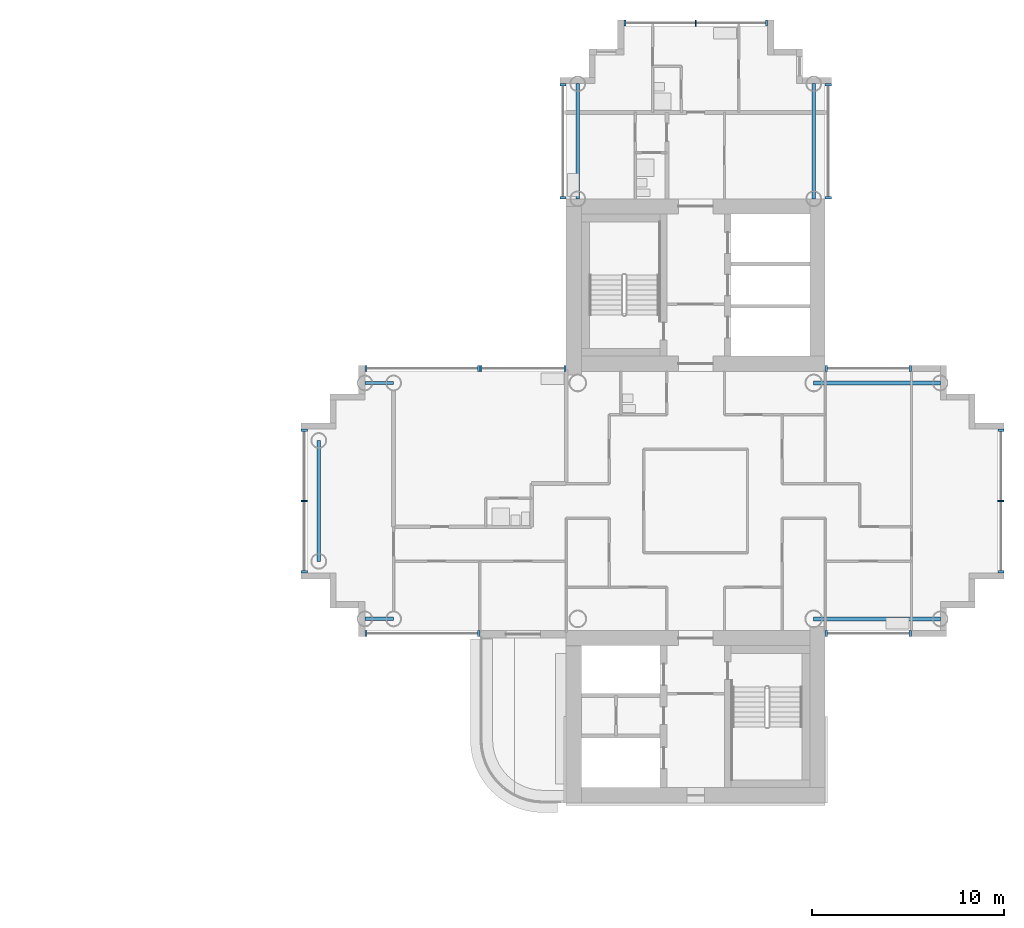
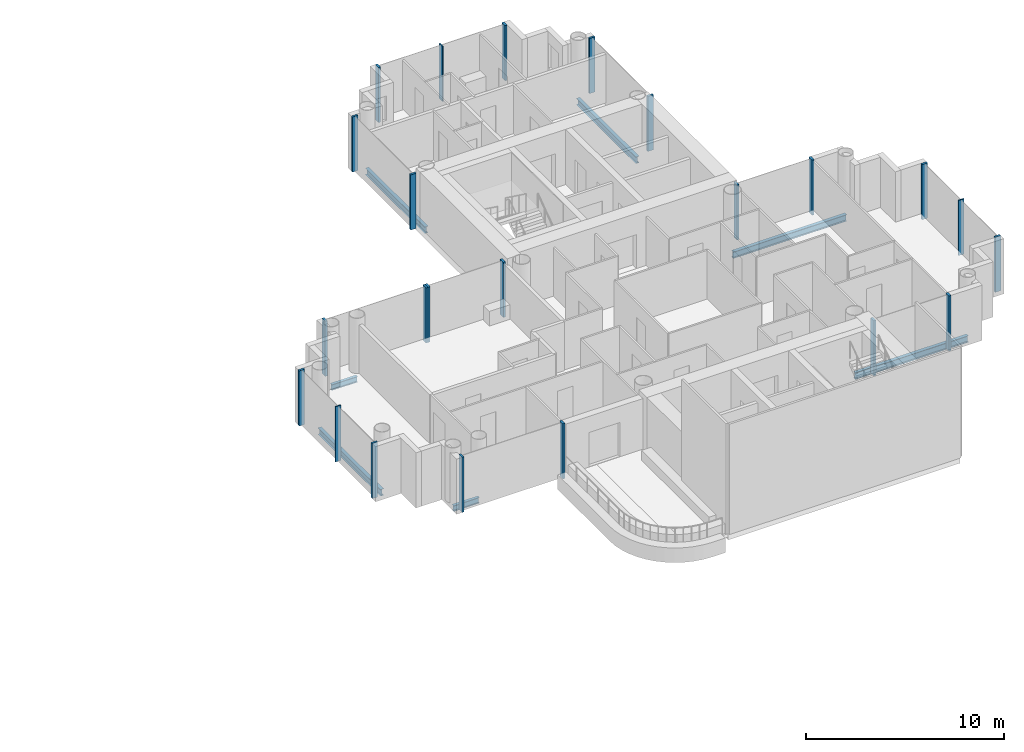
# One storey, part 4 of 19: 23 members, 7 beams, 10 elements without a shape of their own.
"""IFC4 building model written with IfcOpenShell, lengths in metres."""

from ifc_helpers import new_model, si_unit, direction, frame, origin, origin_2d, place, context, subcontext, project, spatial, rectangle, i_section, extrude, material, layer, layer_set, material_profile, profile_set, type_object, element, aggregate, save


model = new_model("IFC4")

# Units and contexts
model_context = context("Model", 3, precision=1e-05, world=origin(), true_north=direction((0.0, 1.0)))
body_context = subcontext(model_context, "Body", "Model", "MODEL_VIEW")
ifc_project = project(units=[si_unit("LENGTHUNIT", "METRE"), si_unit("AREAUNIT", "SQUARE_METRE"), si_unit("VOLUMEUNIT", "CUBIC_METRE"), si_unit("PLANEANGLEUNIT", "RADIAN"), si_unit("MASSUNIT", "GRAM", prefix="KILO")], contexts=[model_context])

# Site, building, storey
site_placement = place(None, origin())
site = spatial("IfcSite", under=ifc_project, at=site_placement, CompositionType="ELEMENT")
building_placement = place(site_placement, origin())
building = spatial("IfcBuilding", under=site, at=building_placement, Name="Ipe Terrace Towers", CompositionType="ELEMENT")
storey_placement = place(building_placement, frame((0.0, 0.0, 147.300048828125)))
storey = spatial("IfcBuildingStorey", under=building, at=storey_placement, Name="L40", CompositionType="ELEMENT", Elevation=147.300048828125)

# Beams
ifc_material_1 = material(Name="Steel S355", Category="steel")
ifc_material_profile_1 = material_profile(ifc_material_1, i_section(OverallWidth=0.175048828125, OverallDepth=0.35009765625, WebThickness=0.007080078125, FlangeThickness=0.010986328125, at=origin_2d()), Name="H-350x175x7x11")
ifc_profile_set_1 = profile_set([ifc_material_profile_1], Name="Steel S355")
beam_type_1 = type_object("IfcBeamType", Name="H04 EDGE BEAM H-350x175x7x11", PredefinedType="BEAM", material=ifc_profile_set_1)
for number, where, z_axis, x_axis, name in (
    (1, (20.25, 6.14990234375, -0.574951171875), (-1.0, 0.0, 0.0), (0.0, -1.0, 0.0), "Edge beam T2-EB-B03-B05"),
    (2, (20.25, -6.14990234375, -0.574951171875), (-1.0, 0.0, 0.0), (0.0, -1.0, 0.0), "Edge beam T2-EB-B04-B06"),
):
    element("IfcBeam", number, at=place(storey_placement, frame(where, z_axis=z_axis, x_axis=x_axis)), inside=storey, type_object=beam_type_1, Name=name, PredefinedType="BEAM", context=body_context, shape_type="SweptSolid", body=[
        extrude(i_section(OverallWidth=0.175048828125, OverallDepth=0.35009765625, WebThickness=0.007080078125, FlangeThickness=0.010986328125, at=origin_2d()), origin(), (0.0, 0.0, 1.0), 1.5),
    ])
ifc_material_2 = material(Name="Steel S355", Category="steel")
ifc_material_profile_2 = material_profile(ifc_material_2, i_section(OverallWidth=0.199951171875, OverallDepth=0.39990234375, WebThickness=0.008056640625, FlangeThickness=0.012939453125, at=origin_2d()), Name="H-400x200x8x13")
ifc_profile_set_2 = profile_set([ifc_material_profile_2], Name="Steel S355")
beam_type_2 = type_object("IfcBeamType", Name="H06 EDGE BEAM H-400x200x8x13", PredefinedType="BEAM", material=ifc_profile_set_2)
for number, where, z_axis, x_axis, name in (
    (3, (42.14990234375, 15.75, -0.60009765625), (0.0, 1.0, 0.0), (-1.0, 0.0, 0.0), "Edge beam T2-EB-A01-A03"),
    (4, (29.85009765625, 15.75, -0.60009765625), (0.0, 1.0, 0.0), (-1.0, 0.0, 0.0), "Edge beam T2-EB-A02-A04"),
):
    element("IfcBeam", number, at=place(storey_placement, frame(where, z_axis=z_axis, x_axis=x_axis)), inside=storey, type_object=beam_type_2, Name=name, PredefinedType="BEAM", context=body_context, shape_type="SweptSolid", body=[
        extrude(i_section(OverallWidth=0.199951171875, OverallDepth=0.39990234375, WebThickness=0.008056640625, FlangeThickness=0.012939453125, at=origin_2d()), origin(), (0.0, 0.0, 1.0), 6.0),
    ])
beam_placement = place(storey_placement, frame((16.35009765625, 3.14990234375, -0.60009765625), z_axis=(0.0, -1.0, 0.0), x_axis=(1.0, 0.0, 0.0)))
element("IfcBeam", 5, at=beam_placement, inside=storey, type_object=beam_type_2, Name="Edge beam T2-EB-B07-B08", PredefinedType="BEAM", context=body_context, shape_type="SweptSolid", body=[
    extrude(i_section(OverallWidth=0.199951171875, OverallDepth=0.39990234375, WebThickness=0.008056640625, FlangeThickness=0.012939453125, at=origin_2d()), origin(), (0.0, 0.0, 1.0), 6.2998046875),
])
for number, where, z_axis, x_axis, name in (
    (6, (48.75, -6.14990234375, -0.60009765625), (-1.0, 0.0, 0.0), (0.0, -1.0, 0.0), "Edge beam T2-EB-D01-E01"),
    (7, (48.75, 6.14990234375, -0.60009765625), (-1.0, 0.0, 0.0), (0.0, -1.0, 0.0), "Edge beam T2-EB-D02-E02"),
):
    element("IfcBeam", number, at=place(storey_placement, frame(where, z_axis=z_axis, x_axis=x_axis)), inside=storey, type_object=beam_type_2, Name=name, PredefinedType="BEAM", context=body_context, shape_type="SweptSolid", body=[
        extrude(i_section(OverallWidth=0.199951171875, OverallDepth=0.39990234375, WebThickness=0.008056640625, FlangeThickness=0.012939453125, at=origin_2d()), origin(), (0.0, 0.0, 1.0), 6.60009765625),
    ])

# Curtain wall, members
ifc_material_3 = material(Name="Aluminium alloy 6063-T6", Category="aluminium")
ifc_layer = layer(ifc_material_3, 0.320068359375)
ifc_layer_set = layer_set([ifc_layer], Name="TOWER UNITISED CURTAIN WALL")
curtain_wall_type = type_object("IfcCurtainWallType", Name="TOWER UNITISED CURTAIN WALL", PredefinedType="NOTDEFINED", material=ifc_layer_set)
curtain_wall_1_placement = place(storey_placement, origin())
curtain_wall_1 = element("IfcCurtainWall", 8, at=curtain_wall_1_placement, inside=storey, type_object=curtain_wall_type, Name="T2-CW-L40-02a curtain wall", PredefinedType="NOTDEFINED")
ifc_material_4 = material(Name="Aluminium alloy 6063-T6", Category="aluminium")
ifc_material_profile_3 = material_profile(ifc_material_4, rectangle(XDim=0.320068359375, YDim=0.1201171875, at=origin_2d()), Name="TOWER UNITISED CORNER MULLION 320 x 120")
ifc_profile_set_3 = profile_set([ifc_material_profile_3], Name="Aluminium alloy 6063-T6")
member_type_1 = type_object("IfcMemberType", Name="TOWER UNITISED CORNER MULLION 320 x 120", PredefinedType="MULLION", material=ifc_profile_set_3)
member_1_placement = place(storey_placement, frame((42.81005859375, -6.909912109375, -0.300048828125), z_axis=(0.0, 0.0, 1.0), x_axis=(0.0, -1.0, 0.0)))
member_1 = element("IfcMember", 9, at=member_1_placement, type_object=member_type_1, Name="T2-CW-L40-02a mullion 1", PredefinedType="MULLION", context=body_context, shape_type="SweptSolid", body=[
    extrude(rectangle(XDim=0.320068359375, YDim=0.1201171875, at=origin_2d()), origin(), (0.0, 0.0, 1.0), 3.39990234375),
])
member_2_placement = place(storey_placement, frame((47.18994140625, -6.909912109375, -0.300048828125), z_axis=(0.0, 0.0, 1.0), x_axis=(0.0, -1.0, 0.0)))
member_2 = element("IfcMember", 10, at=member_2_placement, type_object=member_type_1, Name="T2-CW-L40-02a mullion 2", PredefinedType="MULLION", context=body_context, shape_type="SweptSolid", body=[
    extrude(rectangle(XDim=0.320068359375, YDim=0.1201171875, at=origin_2d()), origin(), (0.0, 0.0, 1.0), 3.39990234375),
])
aggregate(curtain_wall_1, [member_1, member_2])

curtain_wall_2_placement = place(storey_placement, origin())
curtain_wall_2 = element("IfcCurtainWall", 11, at=curtain_wall_2_placement, inside=storey, type_object=curtain_wall_type, Name="T2-CW-L40-08a curtain wall", PredefinedType="NOTDEFINED")
member_3_placement = place(storey_placement, frame((51.909912109375, -3.68994140625, -0.300048828125), z_axis=(0.0, 0.0, 1.0), x_axis=(1.0, 0.0, 0.0)))
member_3 = element("IfcMember", 12, at=member_3_placement, type_object=member_type_1, Name="T2-CW-L40-08a mullion 1", PredefinedType="MULLION", context=body_context, shape_type="SweptSolid", body=[
    extrude(rectangle(XDim=0.320068359375, YDim=0.1201171875, at=origin_2d()), origin(), (0.0, 0.0, 1.0), 3.39990234375),
])
member_4_placement = place(storey_placement, frame((51.909912109375, 3.68994140625, -0.300048828125), z_axis=(0.0, 0.0, 1.0), x_axis=(1.0, 0.0, 0.0)))
member_4 = element("IfcMember", 13, at=member_4_placement, type_object=member_type_1, Name="T2-CW-L40-08a mullion 3", PredefinedType="MULLION", context=body_context, shape_type="SweptSolid", body=[
    extrude(rectangle(XDim=0.320068359375, YDim=0.1201171875, at=origin_2d()), origin(), (0.0, 0.0, 1.0), 3.39990234375),
])

curtain_wall_3_placement = place(storey_placement, origin())
curtain_wall_3 = element("IfcCurtainWall", 14, at=curtain_wall_3_placement, inside=storey, type_object=curtain_wall_type, Name="T2-CW-L40-14a curtain wall", PredefinedType="NOTDEFINED")
member_5_placement = place(storey_placement, frame((47.18994140625, 6.909912109375, -0.300048828125), z_axis=(0.0, 0.0, 1.0), x_axis=(0.0, 1.0, 0.0)))
member_5 = element("IfcMember", 15, at=member_5_placement, type_object=member_type_1, Name="T2-CW-L40-14a mullion 1", PredefinedType="MULLION", context=body_context, shape_type="SweptSolid", body=[
    extrude(rectangle(XDim=0.320068359375, YDim=0.1201171875, at=origin_2d()), origin(), (0.0, 0.0, 1.0), 3.39990234375),
])
member_6_placement = place(storey_placement, frame((42.81005859375, 6.909912109375, -0.300048828125), z_axis=(0.0, 0.0, 1.0), x_axis=(0.0, 1.0, 0.0)))
member_6 = element("IfcMember", 16, at=member_6_placement, type_object=member_type_1, Name="T2-CW-L40-14a mullion 2", PredefinedType="MULLION", context=body_context, shape_type="SweptSolid", body=[
    extrude(rectangle(XDim=0.320068359375, YDim=0.1201171875, at=origin_2d()), origin(), (0.0, 0.0, 1.0), 3.39990234375),
])
aggregate(curtain_wall_3, [member_5, member_6])

curtain_wall_4_placement = place(storey_placement, origin())
curtain_wall_4 = element("IfcCurtainWall", 17, at=curtain_wall_4_placement, inside=storey, type_object=curtain_wall_type, Name="T2-CW-L40-16b curtain wall", PredefinedType="NOTDEFINED")
member_7_placement = place(storey_placement, frame((42.909912109375, 15.81103515625, -0.300048828125), z_axis=(0.0, 0.0, 1.0), x_axis=(1.0, 0.0, 0.0)))
member_7 = element("IfcMember", 18, at=member_7_placement, type_object=member_type_1, Name="T2-CW-L40-16b mullion 1", PredefinedType="MULLION", context=body_context, shape_type="SweptSolid", body=[
    extrude(rectangle(XDim=0.320068359375, YDim=0.1201171875, at=origin_2d()), origin(), (0.0, 0.0, 1.0), 3.39990234375),
])
member_8_placement = place(storey_placement, frame((42.909912109375, 21.68994140625, -0.300048828125), z_axis=(0.0, 0.0, 1.0), x_axis=(1.0, 0.0, 0.0)))
member_8 = element("IfcMember", 19, at=member_8_placement, type_object=member_type_1, Name="T2-CW-L40-16b mullion 2", PredefinedType="MULLION", context=body_context, shape_type="SweptSolid", body=[
    extrude(rectangle(XDim=0.320068359375, YDim=0.1201171875, at=origin_2d()), origin(), (0.0, 0.0, 1.0), 3.39990234375),
])
aggregate(curtain_wall_4, [member_7, member_8])

curtain_wall_5_placement = place(storey_placement, origin())
curtain_wall_5 = element("IfcCurtainWall", 20, at=curtain_wall_5_placement, inside=storey, type_object=curtain_wall_type, Name="T2-CW-L40-21a curtain wall", PredefinedType="NOTDEFINED")
member_9_placement = place(storey_placement, frame((39.68994140625, 24.909912109375, -0.300048828125), z_axis=(0.0, 0.0, 1.0), x_axis=(0.0, 1.0, 0.0)))
member_9 = element("IfcMember", 21, at=member_9_placement, type_object=member_type_1, Name="T2-CW-L40-21a mullion 1", PredefinedType="MULLION", context=body_context, shape_type="SweptSolid", body=[
    extrude(rectangle(XDim=0.320068359375, YDim=0.1201171875, at=origin_2d()), origin(), (0.0, 0.0, 1.0), 3.39990234375),
])
member_10_placement = place(storey_placement, frame((32.31005859375, 24.909912109375, -0.300048828125), z_axis=(0.0, 0.0, 1.0), x_axis=(0.0, 1.0, 0.0)))
member_10 = element("IfcMember", 22, at=member_10_placement, type_object=member_type_1, Name="T2-CW-L40-21a mullion 3", PredefinedType="MULLION", context=body_context, shape_type="SweptSolid", body=[
    extrude(rectangle(XDim=0.320068359375, YDim=0.1201171875, at=origin_2d()), origin(), (0.0, 0.0, 1.0), 3.39990234375),
])

curtain_wall_6_placement = place(storey_placement, origin())
curtain_wall_6 = element("IfcCurtainWall", 23, at=curtain_wall_6_placement, inside=storey, type_object=curtain_wall_type, Name="T2-CW-L40-26a curtain wall", PredefinedType="NOTDEFINED")
member_11_placement = place(storey_placement, frame((29.090087890625, 21.68994140625, -0.300048828125), z_axis=(0.0, 0.0, 1.0), x_axis=(-1.0, 0.0, 0.0)))
member_11 = element("IfcMember", 24, at=member_11_placement, type_object=member_type_1, Name="T2-CW-L40-26a mullion 1", PredefinedType="MULLION", context=body_context, shape_type="SweptSolid", body=[
    extrude(rectangle(XDim=0.320068359375, YDim=0.1201171875, at=origin_2d()), origin(), (0.0, 0.0, 1.0), 3.39990234375),
])
member_12_placement = place(storey_placement, frame((29.090087890625, 15.81103515625, -0.300048828125), z_axis=(0.0, 0.0, 1.0), x_axis=(-1.0, 0.0, 0.0)))
member_12 = element("IfcMember", 25, at=member_12_placement, type_object=member_type_1, Name="T2-CW-L40-26a mullion 2", PredefinedType="MULLION", context=body_context, shape_type="SweptSolid", body=[
    extrude(rectangle(XDim=0.320068359375, YDim=0.1201171875, at=origin_2d()), origin(), (0.0, 0.0, 1.0), 3.39990234375),
])
aggregate(curtain_wall_6, [member_11, member_12])

curtain_wall_7_placement = place(storey_placement, origin())
curtain_wall_7 = element("IfcCurtainWall", 26, at=curtain_wall_7_placement, inside=storey, type_object=curtain_wall_type, Name="T2-CW-L40-28a curtain wall", PredefinedType="NOTDEFINED")
member_13_placement = place(storey_placement, frame((29.18994140625, 6.909912109375, -0.300048828125), z_axis=(0.0, 0.0, 1.0), x_axis=(0.0, 1.0, 0.0)))
member_13 = element("IfcMember", 27, at=member_13_placement, type_object=member_type_1, Name="T2-CW-L40-28a mullion 1", PredefinedType="MULLION", context=body_context, shape_type="SweptSolid", body=[
    extrude(rectangle(XDim=0.320068359375, YDim=0.1201171875, at=origin_2d()), origin(), (0.0, 0.0, 1.0), 3.39990234375),
])
member_14_placement = place(storey_placement, frame((24.81005859375, 6.909912109375, -0.300048828125), z_axis=(0.0, 0.0, 1.0), x_axis=(0.0, 1.0, 0.0)))
member_14 = element("IfcMember", 28, at=member_14_placement, type_object=member_type_1, Name="T2-CW-L40-28a mullion 2", PredefinedType="MULLION", context=body_context, shape_type="SweptSolid", body=[
    extrude(rectangle(XDim=0.320068359375, YDim=0.1201171875, at=origin_2d()), origin(), (0.0, 0.0, 1.0), 3.39990234375),
])
aggregate(curtain_wall_7, [member_13, member_14])

curtain_wall_8_placement = place(storey_placement, origin())
curtain_wall_8 = element("IfcCurtainWall", 29, at=curtain_wall_8_placement, inside=storey, type_object=curtain_wall_type, Name="T2-CW-L40-29a curtain wall", PredefinedType="NOTDEFINED")
member_15_placement = place(storey_placement, frame((24.68994140625, 6.909912109375, -0.300048828125), z_axis=(0.0, 0.0, 1.0), x_axis=(0.0, 1.0, 0.0)))
member_15 = element("IfcMember", 30, at=member_15_placement, type_object=member_type_1, Name="T2-CW-L40-29a mullion 1", PredefinedType="MULLION", context=body_context, shape_type="SweptSolid", body=[
    extrude(rectangle(XDim=0.320068359375, YDim=0.1201171875, at=origin_2d()), origin(), (0.0, 0.0, 1.0), 3.39990234375),
])
member_16_placement = place(storey_placement, frame((18.81005859375, 6.909912109375, -0.300048828125), z_axis=(0.0, 0.0, 1.0), x_axis=(0.0, 1.0, 0.0)))
member_16 = element("IfcMember", 31, at=member_16_placement, type_object=member_type_1, Name="T2-CW-L40-29a mullion 2", PredefinedType="MULLION", context=body_context, shape_type="SweptSolid", body=[
    extrude(rectangle(XDim=0.320068359375, YDim=0.1201171875, at=origin_2d()), origin(), (0.0, 0.0, 1.0), 3.39990234375),
])
aggregate(curtain_wall_8, [member_15, member_16])

curtain_wall_9_placement = place(storey_placement, origin())
curtain_wall_9 = element("IfcCurtainWall", 32, at=curtain_wall_9_placement, inside=storey, type_object=curtain_wall_type, Name="T2-CW-L40-34a curtain wall", PredefinedType="NOTDEFINED")
member_17_placement = place(storey_placement, frame((15.590087890625, 3.68994140625, -0.300048828125), z_axis=(0.0, 0.0, 1.0), x_axis=(-1.0, 0.0, 0.0)))
member_17 = element("IfcMember", 33, at=member_17_placement, type_object=member_type_1, Name="T2-CW-L40-34a mullion 1", PredefinedType="MULLION", context=body_context, shape_type="SweptSolid", body=[
    extrude(rectangle(XDim=0.320068359375, YDim=0.1201171875, at=origin_2d()), origin(), (0.0, 0.0, 1.0), 3.39990234375),
])
member_18_placement = place(storey_placement, frame((15.590087890625, -3.68994140625, -0.300048828125), z_axis=(0.0, 0.0, 1.0), x_axis=(-1.0, 0.0, 0.0)))
member_18 = element("IfcMember", 34, at=member_18_placement, type_object=member_type_1, Name="T2-CW-L40-34a mullion 3", PredefinedType="MULLION", context=body_context, shape_type="SweptSolid", body=[
    extrude(rectangle(XDim=0.320068359375, YDim=0.1201171875, at=origin_2d()), origin(), (0.0, 0.0, 1.0), 3.39990234375),
])

curtain_wall_10_placement = place(storey_placement, origin())
curtain_wall_10 = element("IfcCurtainWall", 35, at=curtain_wall_10_placement, inside=storey, type_object=curtain_wall_type, Name="T2-CW-L40-39a curtain wall", PredefinedType="NOTDEFINED")
member_19_placement = place(storey_placement, frame((18.81005859375, -6.909912109375, -0.300048828125), z_axis=(0.0, 0.0, 1.0), x_axis=(0.0, -1.0, 0.0)))
member_19 = element("IfcMember", 36, at=member_19_placement, type_object=member_type_1, Name="T2-CW-L40-39a mullion 1", PredefinedType="MULLION", context=body_context, shape_type="SweptSolid", body=[
    extrude(rectangle(XDim=0.320068359375, YDim=0.1201171875, at=origin_2d()), origin(), (0.0, 0.0, 1.0), 3.39990234375),
])
member_20_placement = place(storey_placement, frame((24.68994140625, -6.909912109375, -0.300048828125), z_axis=(0.0, 0.0, 1.0), x_axis=(0.0, -1.0, 0.0)))
member_20 = element("IfcMember", 37, at=member_20_placement, type_object=member_type_1, Name="T2-CW-L40-39a mullion 2", PredefinedType="MULLION", context=body_context, shape_type="SweptSolid", body=[
    extrude(rectangle(XDim=0.320068359375, YDim=0.1201171875, at=origin_2d()), origin(), (0.0, 0.0, 1.0), 3.39990234375),
])
aggregate(curtain_wall_10, [member_19, member_20])

# Member
ifc_material_5 = material(Name="Aluminium alloy 6063-T6", Category="aluminium")
ifc_material_profile_4 = material_profile(ifc_material_5, rectangle(XDim=0.320068359375, YDim=0.06494140625, at=origin_2d()), Name="TOWER UNITISED MULLION 320 x 65")
ifc_profile_set_4 = profile_set([ifc_material_profile_4], Name="Aluminium alloy 6063-T6")
member_type_2 = type_object("IfcMemberType", Name="TOWER UNITISED MULLION 320 x 65", PredefinedType="MULLION", material=ifc_profile_set_4)
member_21_placement = place(storey_placement, frame((51.909912109375, 0.0, -0.300048828125), z_axis=(0.0, 0.0, 1.0), x_axis=(1.0, 0.0, 0.0)))
member_21 = element("IfcMember", 38, at=member_21_placement, type_object=member_type_2, Name="T2-CW-L40-08a mullion 2", PredefinedType="MULLION", context=body_context, shape_type="SweptSolid", body=[
    extrude(rectangle(XDim=0.320068359375, YDim=0.06494140625, at=origin_2d()), origin(), (0.0, 0.0, 1.0), 3.39990234375),
])

aggregate(curtain_wall_2, [member_3, member_21, member_4])

member_22_placement = place(storey_placement, frame((36.0, 24.909912109375, -0.300048828125), z_axis=(0.0, 0.0, 1.0), x_axis=(0.0, 1.0, 0.0)))
member_22 = element("IfcMember", 39, at=member_22_placement, type_object=member_type_2, Name="T2-CW-L40-21a mullion 2", PredefinedType="MULLION", context=body_context, shape_type="SweptSolid", body=[
    extrude(rectangle(XDim=0.320068359375, YDim=0.06494140625, at=origin_2d()), origin(), (0.0, 0.0, 1.0), 3.39990234375),
])

aggregate(curtain_wall_5, [member_9, member_22, member_10])

member_23_placement = place(storey_placement, frame((15.590087890625, 0.0, -0.300048828125), z_axis=(0.0, 0.0, 1.0), x_axis=(-1.0, 0.0, 0.0)))
member_23 = element("IfcMember", 40, at=member_23_placement, type_object=member_type_2, Name="T2-CW-L40-34a mullion 2", PredefinedType="MULLION", context=body_context, shape_type="SweptSolid", body=[
    extrude(rectangle(XDim=0.320068359375, YDim=0.06494140625, at=origin_2d()), origin(), (0.0, 0.0, 1.0), 3.39990234375),
])

aggregate(curtain_wall_9, [member_17, member_23, member_18])

save(model, "model.ifc")
